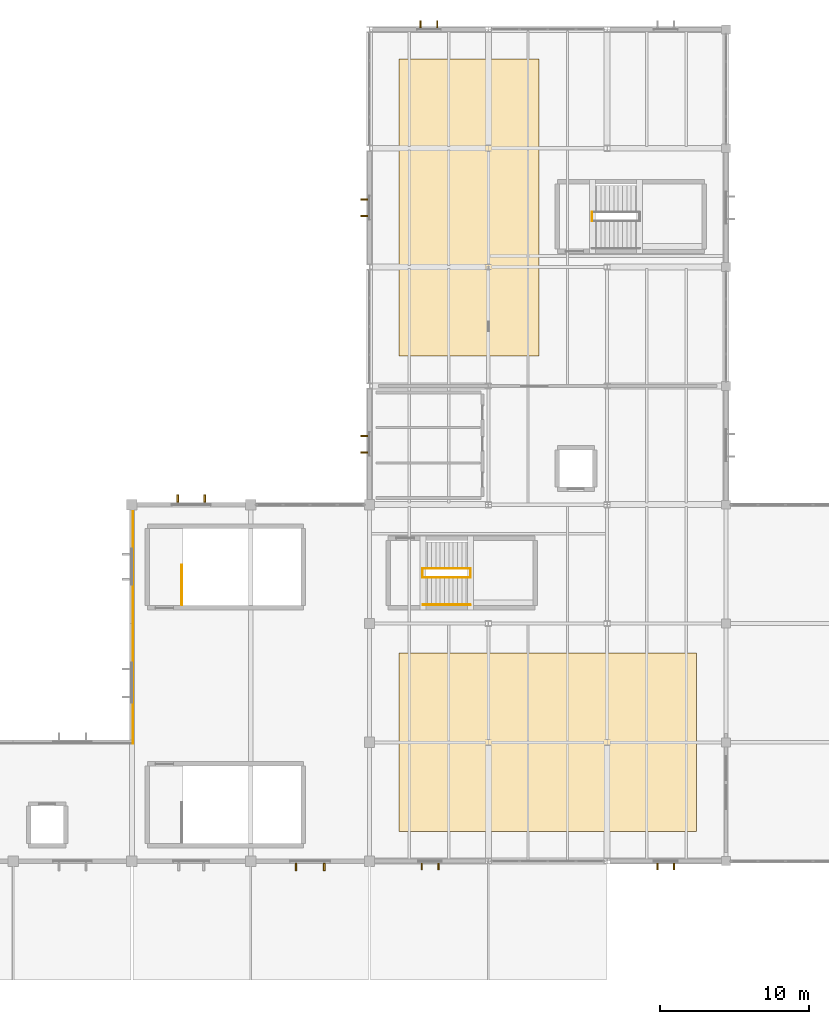
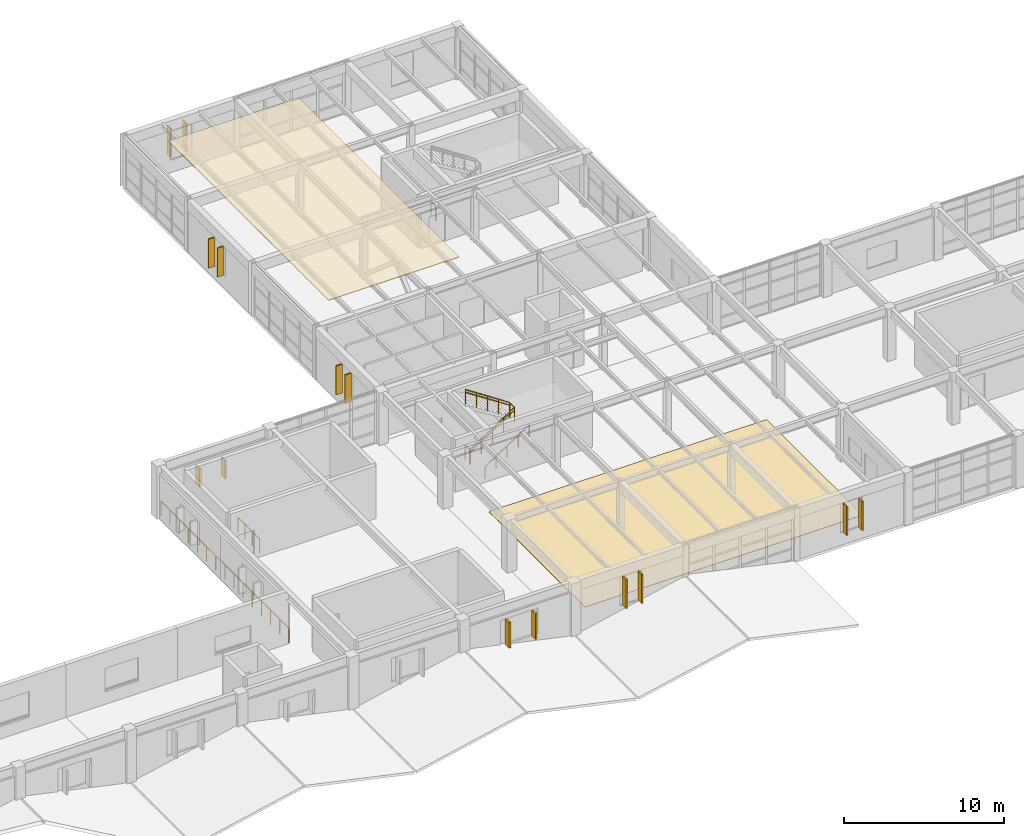
# One storey, part 47 of 48: 14 shading devices, 9 railings, 2 coverings.
"""IFC4 building model written with IfcOpenShell, lengths in metres."""

from ifc_helpers import new_model, si_unit, direction, frame, origin, origin_2d, place, context, subcontext, project, spatial, polyline, rectangle, circle, outline, extrude, material, layer, layer_set, type_object, element, save


model = new_model("IFC4")

# Units and contexts
model_context = context("Model", 3, precision=1e-05, world=origin(), true_north=direction((0.0, 1.0)))
body_context = subcontext(model_context, "Body", "Model", "MODEL_VIEW")
ifc_project = project(units=[si_unit("LENGTHUNIT", "METRE"), si_unit("AREAUNIT", "SQUARE_METRE"), si_unit("VOLUMEUNIT", "CUBIC_METRE"), si_unit("PLANEANGLEUNIT", "RADIAN"), si_unit("MASSUNIT", "GRAM", prefix="KILO")], contexts=[model_context])

# Site, building, storey
site_placement = place(None, origin())
site = spatial("IfcSite", under=ifc_project, at=site_placement, CompositionType="ELEMENT")
building_placement = place(site_placement, origin())
building = spatial("IfcBuilding", under=site, at=building_placement, Name="Varnela Railside Interchange", CompositionType="ELEMENT")
storey_placement = place(building_placement, frame((0.0, 0.0, 11.199951171875)))
storey = spatial("IfcBuildingStorey", under=building, at=storey_placement, Name="L02", CompositionType="ELEMENT", Elevation=11.199951171875)

# Railing
ifc_material_1 = material(Name="Glass laminated double", Category="glass")
railing_type_1 = type_object("IfcRailingType", Name="Concourse Atrium Balustrade BL-01", PredefinedType="BALUSTRADE", material=ifc_material_1)
railing_1_placement = place(storey_placement, frame((100.080078125, 45.919921875, 0.0)))
element("IfcRailing", 1, at=railing_1_placement, inside=storey, type_object=railing_type_1, Name="Concourse Atrium East Balustrade (L02) (RL-0353)", PredefinedType="BALUSTRADE", context=body_context, shape_type="SweptSolid", body=[
    extrude(circle(Radius=0.02392578125, at=origin_2d()), frame((0.0, 0.0, 1.09619140625), z_axis=(0.0, 1.0, 0.0), x_axis=(-1.0, 0.0, 0.0)), (0.0, 0.0, 1.0), 15.9599609375),
    extrude(circle(Radius=0.02099609375, at=origin_2d()), origin(), (0.0, 0.0, 1.0), 1.072021484375),
    extrude(circle(Radius=0.02099609375, at=origin_2d()), frame((0.0, 1.139892578125, 0.0)), (0.0, 0.0, 1.0), 1.072021484375),
    extrude(circle(Radius=0.02099609375, at=origin_2d()), frame((0.0, 2.280029296875, 0.0)), (0.0, 0.0, 1.0), 1.072021484375),
    extrude(circle(Radius=0.02099609375, at=origin_2d()), frame((0.0, 3.419921875, 0.0)), (0.0, 0.0, 1.0), 1.072021484375),
    extrude(circle(Radius=0.02099609375, at=origin_2d()), frame((0.0, 4.56005859375, 0.0)), (0.0, 0.0, 1.0), 1.072021484375),
    extrude(circle(Radius=0.02099609375, at=origin_2d()), frame((0.0, 5.699951171875, 0.0)), (0.0, 0.0, 1.0), 1.072021484375),
    extrude(circle(Radius=0.02099609375, at=origin_2d()), frame((0.0, 6.840087890625, 0.0)), (0.0, 0.0, 1.0), 1.072021484375),
    extrude(circle(Radius=0.02099609375, at=origin_2d()), frame((0.0, 7.97998046875, 0.0)), (0.0, 0.0, 1.0), 1.072021484375),
    extrude(circle(Radius=0.02099609375, at=origin_2d()), frame((0.0, 9.119873046875, 0.0)), (0.0, 0.0, 1.0), 1.072021484375),
    extrude(circle(Radius=0.02099609375, at=origin_2d()), frame((0.0, 10.260009765625, 0.0)), (0.0, 0.0, 1.0), 1.072021484375),
    extrude(circle(Radius=0.02099609375, at=origin_2d()), frame((0.0, 11.39990234375, 0.0)), (0.0, 0.0, 1.0), 1.072021484375),
    extrude(circle(Radius=0.02099609375, at=origin_2d()), frame((0.0, 12.5400390625, 0.0)), (0.0, 0.0, 1.0), 1.072021484375),
    extrude(circle(Radius=0.02099609375, at=origin_2d()), frame((0.0, 13.679931640625, 0.0)), (0.0, 0.0, 1.0), 1.072021484375),
    extrude(circle(Radius=0.02099609375, at=origin_2d()), frame((0.0, 14.820068359375, 0.0)), (0.0, 0.0, 1.0), 1.072021484375),
    extrude(circle(Radius=0.02099609375, at=origin_2d()), frame((0.0, 15.9599609375, 0.0)), (0.0, 0.0, 1.0), 1.072021484375),
])

# Covering
ifc_material_2 = material(Name="Concrete C40 precast", Category="concrete")
ifc_layer_1 = layer(ifc_material_2, 0.034912109375)
ifc_layer_set_1 = layer_set([ifc_layer_1], Name="Concrete C40 precast")
covering_type_1 = type_object("IfcCoveringType", Name="Heavy-Duty Granite Terrazzo Flooring CV-FLR", PredefinedType="FLOORING", material=ifc_layer_set_1)
covering_1_placement = place(storey_placement, origin())
element("IfcCovering", 2, at=covering_1_placement, inside=storey, type_object=covering_type_1, Name="Heavy-Duty Granite Terrazzo Flooring CV-FLR", PredefinedType="FLOORING", context=body_context, shape_type="SweptSolid", body=[
    extrude(outline(polyline([(118.0, 40.0), (138.0, 40.0), (138.0, 52.0), (118.0, 52.0), (118.0, 40.0)])), origin(), (0.0, 0.0, 1.0), 0.03515625),
])

# Shading devices
shading_device_type_1 = type_object("IfcShadingDeviceType", Name="Paulista Vertical Brise-Soleil BS-01", PredefinedType="USERDEFINED", material=ifc_material_2)
for number, where, z_axis, x_axis, name in (
    (3, (103.090087890625, 62.405029296875, 0.9501953125), (0.0, 0.0, 1.0), (0.0, 1.0, 0.0), "Paulista Vertical Brise-Soleil BS-01 (L02)"),
    (4, (104.909912109375, 62.405029296875, 0.9501953125), (0.0, 0.0, 1.0), (0.0, 1.0, 0.0), "Paulista Vertical Brise-Soleil BS-01 (L02)"),
):
    element("IfcShadingDevice", number, at=place(storey_placement, frame(where, z_axis=z_axis, x_axis=x_axis)), inside=storey, type_object=shading_device_type_1, Name=name, ObjectType="FIN", PredefinedType="USERDEFINED", context=body_context, shape_type="SweptSolid", body=[
        extrude(rectangle(XDim=0.5, YDim=0.1201171875, at=origin_2d()), origin(), (0.0, 0.0, 1.0), 1.39990234375),
    ])
for number, where, z_axis, x_axis, name in (
    (5, (112.945068359375, 37.594970703125, 0.9501953125), (0.0, 0.0, 1.0), (0.0, -1.0, 0.0), "Paulista Vertical Brise-Soleil BS-01 (L02)"),
    (6, (111.054931640625, 37.594970703125, 0.9501953125), (0.0, 0.0, 1.0), (0.0, -1.0, 0.0), "Paulista Vertical Brise-Soleil BS-01 (L02)"),
):
    element("IfcShadingDevice", number, at=place(storey_placement, frame(where, z_axis=z_axis, x_axis=x_axis)), inside=storey, type_object=shading_device_type_1, Name=name, ObjectType="FIN", PredefinedType="USERDEFINED", context=body_context, shape_type="SweptSolid", body=[
        extrude(rectangle(XDim=0.5, YDim=0.1201171875, at=origin_2d()), origin(), (0.0, 0.0, 1.0), 1.949951171875),
    ])

# Covering
ifc_material_3 = material(Name="Gypsum acoustic board")
ifc_layer_2 = layer(ifc_material_3, 0.044921875)
ifc_layer_set_2 = layer_set([ifc_layer_2], Name="Gypsum acoustic board")
covering_type_2 = type_object("IfcCoveringType", Name="Perforated Acoustic Baffle Ceiling CV-CLG", PredefinedType="CEILING", material=ifc_layer_set_2)
covering_2_placement = place(storey_placement, frame((0.0, 0.0, 3.955078125)))
element("IfcCovering", 7, at=covering_2_placement, inside=storey, type_object=covering_type_2, Name="Perforated Acoustic Baffle Ceiling CV-CLG", PredefinedType="CEILING", context=body_context, shape_type="SweptSolid", body=[
    extrude(outline(polyline([(118.0, 72.0), (127.39990234375, 72.0), (127.39990234375, 92.0), (118.0, 92.0), (118.0, 72.0)])), origin(), (0.0, 0.0, 1.0), 0.044921875),
])

# Railings
ifc_material_4 = material(Name="Steel AR 350 (350 MPa)", Category="steel")
railing_type_2 = type_object("IfcRailingType", Name="Stair & Ramp Pitch Handrail HR-01", PredefinedType="HANDRAIL", material=ifc_material_4)
railing_2_placement = place(storey_placement, frame((119.60009765625, 57.10009765625, 0.0)))
element("IfcRailing", 8, at=railing_2_placement, inside=storey, type_object=railing_type_2, Name="Stair Handrail ST-E1 Flight 1 (RL-0356)", PredefinedType="HANDRAIL", context=body_context, shape_type="SweptSolid", body=[
    extrude(circle(Radius=0.02392578125, at=origin_2d()), frame((0.0, 0.0, 0.89599609375), z_axis=(0.835242474824, 0.0, 0.549881812983), x_axis=(0.0, 1.0, 0.0)), (0.0, 0.0, 1.0), 3.819091796875),
    extrude(circle(Radius=0.02099609375, at=origin_2d()), origin(), (0.0, 0.0, 1.0), 0.871826171875),
    extrude(circle(Radius=0.02099609375, at=origin_2d()), frame((0.79736328125, 0.0, 0.52490234375)), (0.0, 0.0, 1.0), 0.871826171875),
    extrude(circle(Radius=0.02099609375, at=origin_2d()), frame((1.594970703125, 0.0, 1.050048828125)), (0.0, 0.0, 1.0), 0.871826171875),
    extrude(circle(Radius=0.02099609375, at=origin_2d()), frame((2.392578125, 0.0, 1.5751953125)), (0.0, 0.0, 1.0), 0.871826171875),
    extrude(circle(Radius=0.02099609375, at=origin_2d()), frame((3.18994140625, 0.0, 2.10009765625)), (0.0, 0.0, 1.0), 0.871826171875),
])
railing_3_placement = place(storey_placement, frame((122.7900390625, 57.699951171875, 2.10009765625)))
element("IfcRailing", 9, at=railing_3_placement, inside=storey, type_object=railing_type_2, Name="Stair Handrail ST-E1 Flight 2 (RL-0357)", PredefinedType="HANDRAIL", context=body_context, shape_type="SweptSolid", body=[
    extrude(circle(Radius=0.02392578125, at=origin_2d()), frame((0.0, 0.0, 0.89599609375), z_axis=(-0.835271834381, 0.0, 0.549837214719), x_axis=(0.0, -1.0, 0.0)), (0.0, 0.0, 1.0), 3.819091796875),
    extrude(circle(Radius=0.02099609375, at=origin_2d()), origin(), (0.0, 0.0, 1.0), 0.871826171875),
    extrude(circle(Radius=0.02099609375, at=origin_2d()), frame((-0.79736328125, 0.0, 0.52490234375)), (0.0, 0.0, 1.0), 0.871826171875),
    extrude(circle(Radius=0.02099609375, at=origin_2d()), frame((-1.594970703125, 0.0, 1.0498046875)), (0.0, 0.0, 1.0), 0.871826171875),
    extrude(circle(Radius=0.02099609375, at=origin_2d()), frame((-2.392578125, 0.0, 1.574951171875)), (0.0, 0.0, 1.0), 0.871826171875),
    extrude(circle(Radius=0.02099609375, at=origin_2d()), frame((-3.18994140625, 0.0, 2.099853515625)), (0.0, 0.0, 1.0), 0.871826171875),
])
railing_type_3 = type_object("IfcRailingType", Name="Stair Well & Landing Guard GR-02", PredefinedType="GUARDRAIL", material=ifc_material_4)
railing_4_placement = place(storey_placement, frame((119.570068359375, 57.10009765625, 0.0)))
element("IfcRailing", 10, at=railing_4_placement, inside=storey, type_object=railing_type_3, Name="Stair Well Slot Guard ST-E1 on L02 (RL-0336)", PredefinedType="GUARDRAIL", context=body_context, shape_type="SweptSolid", body=[
    extrude(circle(Radius=0.02392578125, at=origin_2d()), frame((0.0, 0.0, 1.09619140625), z_axis=(0.0, 1.0, 0.0), x_axis=(-1.0, 0.0, 0.0)), (0.0, 0.0, 1.0), 0.599853515625),
    extrude(circle(Radius=0.02099609375, at=origin_2d()), origin(), (0.0, 0.0, 1.0), 1.072021484375),
    extrude(circle(Radius=0.02099609375, at=origin_2d()), frame((0.0, 0.599853515625, 0.0)), (0.0, 0.0, 1.0), 1.072021484375),
])
railing_5_placement = place(storey_placement, frame((119.60009765625, 57.10009765625, 0.0)))
element("IfcRailing", 11, at=railing_5_placement, inside=storey, type_object=railing_type_3, Name="Stair Guard ST-E1 Half-Landing (RL-0334)", PredefinedType="GUARDRAIL", context=body_context, shape_type="SweptSolid", body=[
    extrude(circle(Radius=0.02392578125, at=origin_2d()), frame((0.0, 0.0, 1.09619140625), z_axis=(0.835242474824, 0.0, 0.549881812983), x_axis=(0.0, 1.0, 0.0)), (0.0, 0.0, 1.0), 3.819091796875),
    extrude(circle(Radius=0.02392578125, at=origin_2d()), frame((3.18994140625, 0.0, 3.1962890625), z_axis=(0.0, 1.0, 0.0), x_axis=(-1.0, 0.0, 0.0)), (0.0, 0.0, 1.0), 0.599853515625),
    extrude(circle(Radius=0.02099609375, at=origin_2d()), origin(), (0.0, 0.0, 1.0), 1.072021484375),
    extrude(circle(Radius=0.02099609375, at=origin_2d()), frame((0.79736328125, 0.0, 0.52490234375)), (0.0, 0.0, 1.0), 1.072021484375),
    extrude(circle(Radius=0.02099609375, at=origin_2d()), frame((1.594970703125, 0.0, 1.050048828125)), (0.0, 0.0, 1.0), 1.072021484375),
    extrude(circle(Radius=0.02099609375, at=origin_2d()), frame((2.392578125, 0.0, 1.5751953125)), (0.0, 0.0, 1.0), 1.072021484375),
    extrude(circle(Radius=0.02099609375, at=origin_2d()), frame((3.18994140625, 0.0, 2.10009765625)), (0.0, 0.0, 1.0), 1.072021484375),
    extrude(circle(Radius=0.02099609375, at=origin_2d()), frame((3.18994140625, 0.599853515625, 2.10009765625)), (0.0, 0.0, 1.0), 1.072021484375),
])
railing_6_placement = place(storey_placement, frame((122.7900390625, 57.699951171875, 2.10009765625)))
element("IfcRailing", 12, at=railing_6_placement, inside=storey, type_object=railing_type_3, Name="Stair Guard ST-E1 Upper Flight (RL-0335)", PredefinedType="GUARDRAIL", context=body_context, shape_type="SweptSolid", body=[
    extrude(circle(Radius=0.02392578125, at=origin_2d()), frame((0.0, 0.0, 1.09619140625), z_axis=(-0.835271834381, 0.0, 0.549837214719), x_axis=(0.0, -1.0, 0.0)), (0.0, 0.0, 1.0), 3.819091796875),
    extrude(circle(Radius=0.02099609375, at=origin_2d()), origin(), (0.0, 0.0, 1.0), 1.072021484375),
    extrude(circle(Radius=0.02099609375, at=origin_2d()), frame((-0.79736328125, 0.0, 0.52490234375)), (0.0, 0.0, 1.0), 1.072021484375),
    extrude(circle(Radius=0.02099609375, at=origin_2d()), frame((-1.594970703125, 0.0, 1.0498046875)), (0.0, 0.0, 1.0), 1.072021484375),
    extrude(circle(Radius=0.02099609375, at=origin_2d()), frame((-2.392578125, 0.0, 1.574951171875)), (0.0, 0.0, 1.0), 1.072021484375),
    extrude(circle(Radius=0.02099609375, at=origin_2d()), frame((-3.18994140625, 0.0, 2.099853515625)), (0.0, 0.0, 1.0), 1.072021484375),
])
railing_7_placement = place(storey_placement, frame((130.969970703125, 81.10009765625, 0.0)))
element("IfcRailing", 13, at=railing_7_placement, inside=storey, type_object=railing_type_3, Name="Stair Well Slot Guard ST-E2 on L02 (RL-0339)", PredefinedType="GUARDRAIL", context=body_context, shape_type="SweptSolid", body=[
    extrude(circle(Radius=0.02392578125, at=origin_2d()), frame((0.0, 0.0, 1.09619140625), z_axis=(0.0, 1.0, 0.0), x_axis=(-1.0, 0.0, 0.0)), (0.0, 0.0, 1.0), 0.599853515625),
    extrude(circle(Radius=0.02099609375, at=origin_2d()), origin(), (0.0, 0.0, 1.0), 1.072021484375),
    extrude(circle(Radius=0.02099609375, at=origin_2d()), frame((0.0, 0.599853515625, 0.0)), (0.0, 0.0, 1.0), 1.072021484375),
])
railing_8_placement = place(storey_placement, frame((103.360107421875, 55.260009765625, 0.0)))
element("IfcRailing", 14, at=railing_8_placement, inside=storey, type_object=railing_type_3, Name="Stair Well Arrival Guard ST-C4 on L02 (RL-0333)", PredefinedType="GUARDRAIL", context=body_context, shape_type="SweptSolid", body=[
    extrude(circle(Radius=0.02392578125, at=origin_2d()), frame((0.0, 0.0, 1.09619140625), z_axis=(0.0, 1.0, 0.0), x_axis=(-1.0, 0.0, 0.0)), (0.0, 0.0, 1.0), 2.68994140625),
    extrude(circle(Radius=0.02099609375, at=origin_2d()), origin(), (0.0, 0.0, 1.0), 1.072021484375),
    extrude(circle(Radius=0.02099609375, at=origin_2d()), frame((0.0, 0.896728515625, 0.0)), (0.0, 0.0, 1.0), 1.072021484375),
    extrude(circle(Radius=0.02099609375, at=origin_2d()), frame((0.0, 1.793212890625, 0.0)), (0.0, 0.0, 1.0), 1.072021484375),
    extrude(circle(Radius=0.02099609375, at=origin_2d()), frame((0.0, 2.68994140625, 0.0)), (0.0, 0.0, 1.0), 1.072021484375),
])

# Shading devices
shading_device_type_2 = type_object("IfcShadingDeviceType", Name="Terracotta Vertical Sun Fin BS-02", PredefinedType="USERDEFINED", material=ifc_material_2)
for number, where, z_axis, x_axis, name in (
    (15, (115.64990234375, 65.521240234375, 0.9501953125), (0.0, 0.0, 1.0), (-1.0, 0.0, 0.0), "Terracotta Vertical Sun Fin BS-02 (L02)"),
    (16, (115.64990234375, 66.64111328125, 0.9501953125), (0.0, 0.0, 1.0), (-1.0, 0.0, 0.0), "Terracotta Vertical Sun Fin BS-02 (L02)"),
    (17, (115.64990234375, 81.43994140625, 0.9501953125), (0.0, 0.0, 1.0), (-1.0, 0.0, 0.0), "Terracotta Vertical Sun Fin BS-02 (L02)"),
    (18, (115.64990234375, 82.56005859375, 0.9501953125), (0.0, 0.0, 1.0), (-1.0, 0.0, 0.0), "Terracotta Vertical Sun Fin BS-02 (L02)"),
    (19, (119.43994140625, 94.35009765625, 0.9501953125), (0.0, 0.0, 1.0), (0.0, 1.0, 0.0), "Terracotta Vertical Sun Fin BS-02 (L02)"),
    (20, (120.56005859375, 94.35009765625, 0.9501953125), (0.0, 0.0, 1.0), (0.0, 1.0, 0.0), "Terracotta Vertical Sun Fin BS-02 (L02)"),
    (21, (136.508544921875, 37.64990234375, 0.9501953125), (0.0, 0.0, 1.0), (0.0, -1.0, 0.0), "Terracotta Vertical Sun Fin BS-02 (L02)"),
    (22, (135.388427734375, 37.64990234375, 0.9501953125), (0.0, 0.0, 1.0), (0.0, -1.0, 0.0), "Terracotta Vertical Sun Fin BS-02 (L02)"),
    (23, (120.636474609375, 37.64990234375, 0.9501953125), (0.0, 0.0, 1.0), (0.0, -1.0, 0.0), "Terracotta Vertical Sun Fin BS-02 (L02)"),
    (24, (119.5166015625, 37.64990234375, 0.9501953125), (0.0, 0.0, 1.0), (0.0, -1.0, 0.0), "Terracotta Vertical Sun Fin BS-02 (L02)"),
):
    element("IfcShadingDevice", number, at=place(storey_placement, frame(where, z_axis=z_axis, x_axis=x_axis)), inside=storey, type_object=shading_device_type_2, Name=name, ObjectType="FIN", PredefinedType="USERDEFINED", context=body_context, shape_type="SweptSolid", body=[
        extrude(rectangle(XDim=0.449951171875, YDim=0.10009765625, at=origin_2d()), origin(), (0.0, 0.0, 1.0), 2.199951171875),
    ])

# Railing
railing_type_4 = type_object("IfcRailingType", Name="Wall-Mounted Stair Handrail HR-02", PredefinedType="HANDRAIL", material=ifc_material_4)
railing_9_placement = place(storey_placement, frame((119.60009765625, 55.260009765625, 0.0)))
element("IfcRailing", 25, at=railing_9_placement, inside=storey, type_object=railing_type_4, Name="Wall Handrail ST-E1 Flight 1 (RL-0368)", PredefinedType="HANDRAIL", context=body_context, shape_type="SweptSolid", body=[
    extrude(circle(Radius=0.02392578125, at=origin_2d()), frame((0.0, 0.0, 0.89599609375), z_axis=(0.835242474824, 0.0, 0.549881812983), x_axis=(0.0, 1.0, 0.0)), (0.0, 0.0, 1.0), 3.819091796875),
    extrude(circle(Radius=0.02099609375, at=origin_2d()), origin(), (0.0, 0.0, 1.0), 0.871826171875),
    extrude(circle(Radius=0.02099609375, at=origin_2d()), frame((0.79736328125, 0.0, 0.52490234375)), (0.0, 0.0, 1.0), 0.871826171875),
    extrude(circle(Radius=0.02099609375, at=origin_2d()), frame((1.594970703125, 0.0, 1.050048828125)), (0.0, 0.0, 1.0), 0.871826171875),
    extrude(circle(Radius=0.02099609375, at=origin_2d()), frame((2.392578125, 0.0, 1.5751953125)), (0.0, 0.0, 1.0), 0.871826171875),
    extrude(circle(Radius=0.02099609375, at=origin_2d()), frame((3.18994140625, 0.0, 2.10009765625)), (0.0, 0.0, 1.0), 0.871826171875),
])

save(model, "model.ifc")
